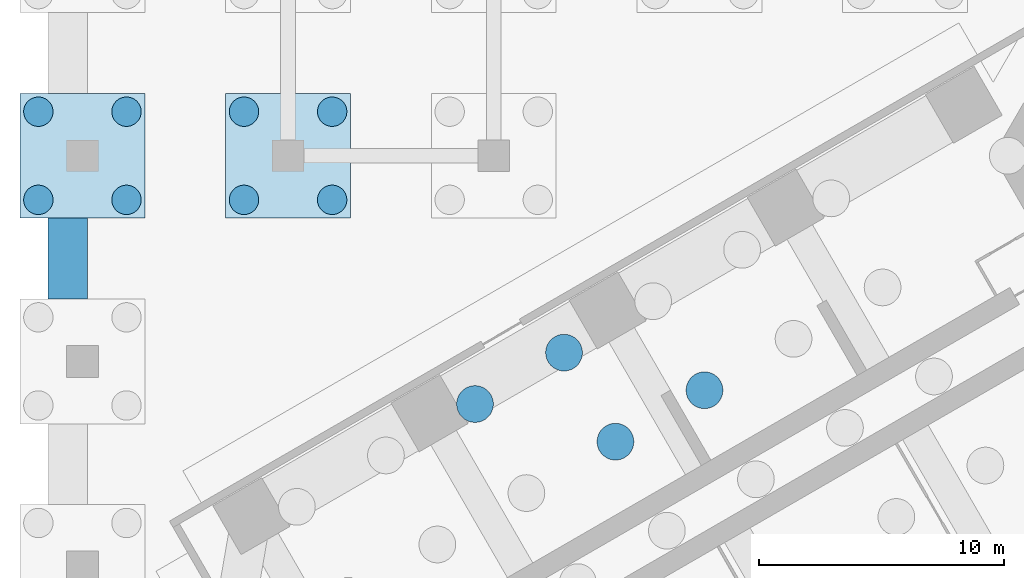
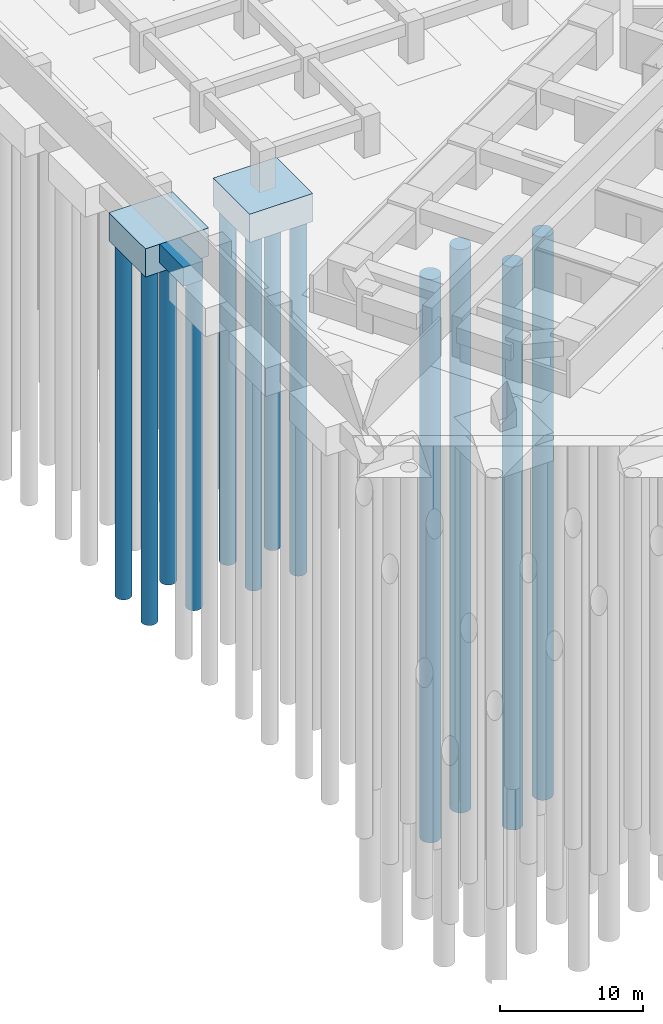
# One storey, part 11 of 73: 12 piles, 3 footings.
"""IFC4 building model written with IfcOpenShell, lengths in metres."""

from ifc_helpers import new_model, si_unit, direction, frame, origin, origin_2d, place, context, subcontext, project, spatial, polyline, circle, outline, extrude, material, material_profile, profile_set, type_object, element, save


model = new_model("IFC4")

# Units and contexts
model_context = context("Model", 3, precision=1e-05, world=origin(), true_north=direction((0.0, 1.0)))
body_context = subcontext(model_context, "Body", "Model", "MODEL_VIEW")
ifc_project = project(units=[si_unit("LENGTHUNIT", "METRE"), si_unit("AREAUNIT", "SQUARE_METRE"), si_unit("VOLUMEUNIT", "CUBIC_METRE"), si_unit("PLANEANGLEUNIT", "RADIAN"), si_unit("MASSUNIT", "GRAM", prefix="KILO")], contexts=[model_context])

# Site, building, storey
site_placement = place(None, origin())
site = spatial("IfcSite", under=ifc_project, at=site_placement, CompositionType="ELEMENT")
building_placement = place(site_placement, origin())
building = spatial("IfcBuilding", under=site, at=building_placement, Name="Impinga Residences", CompositionType="ELEMENT")
storey_placement = place(building_placement, frame((0.0, 0.0, -10.5)))
storey = spatial("IfcBuildingStorey", under=building, at=storey_placement, Name="B3", CompositionType="ELEMENT", Elevation=-10.5)

# Piles
ifc_material_1 = material(Name="Concrete C35/45", Category="concrete")
ifc_material_profile_1 = material_profile(ifc_material_1, circle(Radius=0.75, at=origin_2d()), Name="D1500")
ifc_profile_set_1 = profile_set([ifc_material_profile_1], Name="Concrete C35/45")
pile_type_1 = type_object("IfcPileType", Name="BP1 bored pile D1500", PredefinedType="BORED", material=ifc_profile_set_1)
pile_1_placement = place(storey_placement, frame((-28.627685546875, -11.678466796875, -4.0), z_axis=(0.0, 0.0, -1.0), x_axis=(1.0, 0.0, 0.0)))
element("IfcPile", 1, at=pile_1_placement, inside=storey, type_object=pile_type_1, Name="Raft pile BP1-055", PredefinedType="BORED", context=body_context, shape_type="SweptSolid", body=[
    extrude(outline(polyline([(0.75, 0.0), (0.746337890625, 0.073486328125), (0.735595703125, 0.146240234375), (0.7177734375, 0.2177734375), (0.69287109375, 0.287109375), (0.661376953125, 0.353515625), (0.62353515625, 0.416748046875), (0.579833984375, 0.475830078125), (0.5302734375, 0.5302734375), (0.475830078125, 0.579833984375), (0.416748046875, 0.62353515625), (0.353515625, 0.661376953125), (0.287109375, 0.69287109375), (0.2177734375, 0.7177734375), (0.146240234375, 0.735595703125), (0.073486328125, 0.746337890625), (0.0, 0.75), (-0.073486328125, 0.746337890625), (-0.146240234375, 0.735595703125), (-0.2177734375, 0.7177734375), (-0.287109375, 0.69287109375), (-0.353515625, 0.661376953125), (-0.416748046875, 0.62353515625), (-0.475830078125, 0.579833984375), (-0.5302734375, 0.5302734375), (-0.579833984375, 0.475830078125), (-0.62353515625, 0.416748046875), (-0.661376953125, 0.353515625), (-0.69287109375, 0.287109375), (-0.7177734375, 0.2177734375), (-0.735595703125, 0.146240234375), (-0.746337890625, 0.073486328125), (-0.75, 0.0), (-0.746337890625, -0.073486328125), (-0.735595703125, -0.146240234375), (-0.7177734375, -0.2177734375), (-0.69287109375, -0.287109375), (-0.661376953125, -0.353515625), (-0.62353515625, -0.416748046875), (-0.579833984375, -0.475830078125), (-0.5302734375, -0.5302734375), (-0.475830078125, -0.579833984375), (-0.416748046875, -0.62353515625), (-0.353515625, -0.661376953125), (-0.287109375, -0.69287109375), (-0.2177734375, -0.7177734375), (-0.146240234375, -0.735595703125), (-0.073486328125, -0.746337890625), (0.0, -0.75), (0.073486328125, -0.746337890625), (0.146240234375, -0.735595703125), (0.2177734375, -0.7177734375), (0.287109375, -0.69287109375), (0.353515625, -0.661376953125), (0.416748046875, -0.62353515625), (0.475830078125, -0.579833984375), (0.5302734375, -0.5302734375), (0.579833984375, -0.475830078125), (0.62353515625, -0.416748046875), (0.661376953125, -0.353515625), (0.69287109375, -0.287109375), (0.7177734375, -0.2177734375), (0.735595703125, -0.146240234375), (0.746337890625, -0.073486328125), (0.75, 0.0)])), origin(), (0.0, 0.0, 1.0), 48.0),
])
pile_2_placement = place(storey_placement, frame((-34.364990234375, -10.14111328125, -4.0), z_axis=(0.0, 0.0, -1.0), x_axis=(1.0, 0.0, 0.0)))
element("IfcPile", 2, at=pile_2_placement, inside=storey, type_object=pile_type_1, Name="Raft pile BP1-063", PredefinedType="BORED", context=body_context, shape_type="SweptSolid", body=[
    extrude(outline(polyline([(0.75, 0.0), (0.746337890625, 0.073486328125), (0.735595703125, 0.146240234375), (0.7177734375, 0.2177734375), (0.69287109375, 0.287109375), (0.661376953125, 0.353515625), (0.62353515625, 0.416748046875), (0.579833984375, 0.475830078125), (0.5302734375, 0.5302734375), (0.475830078125, 0.579833984375), (0.416748046875, 0.62353515625), (0.353515625, 0.661376953125), (0.287109375, 0.69287109375), (0.2177734375, 0.7177734375), (0.146240234375, 0.735595703125), (0.073486328125, 0.746337890625), (0.0, 0.75), (-0.073486328125, 0.746337890625), (-0.146240234375, 0.735595703125), (-0.2177734375, 0.7177734375), (-0.287109375, 0.69287109375), (-0.353515625, 0.661376953125), (-0.416748046875, 0.62353515625), (-0.475830078125, 0.579833984375), (-0.5302734375, 0.5302734375), (-0.579833984375, 0.475830078125), (-0.62353515625, 0.416748046875), (-0.661376953125, 0.353515625), (-0.69287109375, 0.287109375), (-0.7177734375, 0.2177734375), (-0.735595703125, 0.146240234375), (-0.746337890625, 0.073486328125), (-0.75, 0.0), (-0.746337890625, -0.073486328125), (-0.735595703125, -0.146240234375), (-0.7177734375, -0.2177734375), (-0.69287109375, -0.287109375), (-0.661376953125, -0.353515625), (-0.62353515625, -0.416748046875), (-0.579833984375, -0.475830078125), (-0.5302734375, -0.5302734375), (-0.475830078125, -0.579833984375), (-0.416748046875, -0.62353515625), (-0.353515625, -0.661376953125), (-0.287109375, -0.69287109375), (-0.2177734375, -0.7177734375), (-0.146240234375, -0.735595703125), (-0.073486328125, -0.746337890625), (0.0, -0.75), (0.073486328125, -0.746337890625), (0.146240234375, -0.735595703125), (0.2177734375, -0.7177734375), (0.287109375, -0.69287109375), (0.353515625, -0.661376953125), (0.416748046875, -0.62353515625), (0.475830078125, -0.579833984375), (0.5302734375, -0.5302734375), (0.579833984375, -0.475830078125), (0.62353515625, -0.416748046875), (0.661376953125, -0.353515625), (0.69287109375, -0.287109375), (0.7177734375, -0.2177734375), (0.735595703125, -0.146240234375), (0.746337890625, -0.073486328125), (0.75, 0.0)])), origin(), (0.0, 0.0, 1.0), 48.0),
])
pile_3_placement = place(storey_placement, frame((-24.990478515625, -9.578369140625, -4.0), z_axis=(0.0, 0.0, -1.0), x_axis=(1.0, 0.0, 0.0)))
element("IfcPile", 3, at=pile_3_placement, inside=storey, type_object=pile_type_1, Name="Raft pile BP1-065", PredefinedType="BORED", context=body_context, shape_type="SweptSolid", body=[
    extrude(outline(polyline([(0.75, 0.0), (0.746337890625, 0.073486328125), (0.735595703125, 0.146240234375), (0.7177734375, 0.2177734375), (0.69287109375, 0.287109375), (0.661376953125, 0.353515625), (0.62353515625, 0.416748046875), (0.579833984375, 0.475830078125), (0.5302734375, 0.5302734375), (0.475830078125, 0.579833984375), (0.416748046875, 0.62353515625), (0.353515625, 0.661376953125), (0.287109375, 0.69287109375), (0.2177734375, 0.7177734375), (0.146240234375, 0.735595703125), (0.073486328125, 0.746337890625), (0.0, 0.75), (-0.073486328125, 0.746337890625), (-0.146240234375, 0.735595703125), (-0.2177734375, 0.7177734375), (-0.287109375, 0.69287109375), (-0.353515625, 0.661376953125), (-0.416748046875, 0.62353515625), (-0.475830078125, 0.579833984375), (-0.5302734375, 0.5302734375), (-0.579833984375, 0.475830078125), (-0.62353515625, 0.416748046875), (-0.661376953125, 0.353515625), (-0.69287109375, 0.287109375), (-0.7177734375, 0.2177734375), (-0.735595703125, 0.146240234375), (-0.746337890625, 0.073486328125), (-0.75, 0.0), (-0.746337890625, -0.073486328125), (-0.735595703125, -0.146240234375), (-0.7177734375, -0.2177734375), (-0.69287109375, -0.287109375), (-0.661376953125, -0.353515625), (-0.62353515625, -0.416748046875), (-0.579833984375, -0.475830078125), (-0.5302734375, -0.5302734375), (-0.475830078125, -0.579833984375), (-0.416748046875, -0.62353515625), (-0.353515625, -0.661376953125), (-0.287109375, -0.69287109375), (-0.2177734375, -0.7177734375), (-0.146240234375, -0.735595703125), (-0.073486328125, -0.746337890625), (0.0, -0.75), (0.073486328125, -0.746337890625), (0.146240234375, -0.735595703125), (0.2177734375, -0.7177734375), (0.287109375, -0.69287109375), (0.353515625, -0.661376953125), (0.416748046875, -0.62353515625), (0.475830078125, -0.579833984375), (0.5302734375, -0.5302734375), (0.579833984375, -0.475830078125), (0.62353515625, -0.416748046875), (0.661376953125, -0.353515625), (0.69287109375, -0.287109375), (0.7177734375, -0.2177734375), (0.735595703125, -0.146240234375), (0.746337890625, -0.073486328125), (0.75, 0.0)])), origin(), (0.0, 0.0, 1.0), 48.0),
])
pile_4_placement = place(storey_placement, frame((-30.727783203125, -8.041259765625, -4.0), z_axis=(0.0, 0.0, -1.0), x_axis=(1.0, 0.0, 0.0)))
element("IfcPile", 4, at=pile_4_placement, inside=storey, type_object=pile_type_1, Name="Raft pile BP1-069", PredefinedType="BORED", context=body_context, shape_type="SweptSolid", body=[
    extrude(outline(polyline([(0.75, 0.0), (0.746337890625, 0.073486328125), (0.735595703125, 0.146240234375), (0.7177734375, 0.2177734375), (0.69287109375, 0.287109375), (0.661376953125, 0.353515625), (0.62353515625, 0.416748046875), (0.579833984375, 0.475830078125), (0.5302734375, 0.5302734375), (0.475830078125, 0.579833984375), (0.416748046875, 0.62353515625), (0.353515625, 0.661376953125), (0.287109375, 0.69287109375), (0.2177734375, 0.7177734375), (0.146240234375, 0.735595703125), (0.073486328125, 0.746337890625), (0.0, 0.75), (-0.073486328125, 0.746337890625), (-0.146240234375, 0.735595703125), (-0.2177734375, 0.7177734375), (-0.287109375, 0.69287109375), (-0.353515625, 0.661376953125), (-0.416748046875, 0.62353515625), (-0.475830078125, 0.579833984375), (-0.5302734375, 0.5302734375), (-0.579833984375, 0.475830078125), (-0.62353515625, 0.416748046875), (-0.661376953125, 0.353515625), (-0.69287109375, 0.287109375), (-0.7177734375, 0.2177734375), (-0.735595703125, 0.146240234375), (-0.746337890625, 0.073486328125), (-0.75, 0.0), (-0.746337890625, -0.073486328125), (-0.735595703125, -0.146240234375), (-0.7177734375, -0.2177734375), (-0.69287109375, -0.287109375), (-0.661376953125, -0.353515625), (-0.62353515625, -0.416748046875), (-0.579833984375, -0.475830078125), (-0.5302734375, -0.5302734375), (-0.475830078125, -0.579833984375), (-0.416748046875, -0.62353515625), (-0.353515625, -0.661376953125), (-0.287109375, -0.69287109375), (-0.2177734375, -0.7177734375), (-0.146240234375, -0.735595703125), (-0.073486328125, -0.746337890625), (0.0, -0.75), (0.073486328125, -0.746337890625), (0.146240234375, -0.735595703125), (0.2177734375, -0.7177734375), (0.287109375, -0.69287109375), (0.353515625, -0.661376953125), (0.416748046875, -0.62353515625), (0.475830078125, -0.579833984375), (0.5302734375, -0.5302734375), (0.579833984375, -0.475830078125), (0.62353515625, -0.416748046875), (0.661376953125, -0.353515625), (0.69287109375, -0.287109375), (0.7177734375, -0.2177734375), (0.735595703125, -0.146240234375), (0.746337890625, -0.073486328125), (0.75, 0.0)])), origin(), (0.0, 0.0, 1.0), 48.0),
])
ifc_material_profile_2 = material_profile(ifc_material_1, circle(Radius=0.60009765625, at=origin_2d()), Name="D1200")
ifc_profile_set_2 = profile_set([ifc_material_profile_2], Name="Concrete C35/45")
pile_type_2 = type_object("IfcPileType", Name="BP2 bored pile D1200", PredefinedType="BORED", material=ifc_profile_set_2)
pile_5_placement = place(storey_placement, frame((-52.199951171875, -1.800048828125, -2.39990234375), z_axis=(0.0, 0.0, -1.0), x_axis=(1.0, 0.0, 0.0)))
element("IfcPile", 5, at=pile_5_placement, inside=storey, type_object=pile_type_2, Name="Cap pile BP2 1/F-1", PredefinedType="BORED", context=body_context, shape_type="SweptSolid", body=[
    extrude(outline(polyline([(0.60009765625, 0.0), (0.59716796875, 0.058837890625), (0.58837890625, 0.116943359375), (0.57421875, 0.174072265625), (0.554443359375, 0.2294921875), (0.529052734375, 0.282958984375), (0.498779296875, 0.333251953125), (0.4638671875, 0.380615234375), (0.42431640625, 0.42431640625), (0.380615234375, 0.4638671875), (0.333251953125, 0.498779296875), (0.282958984375, 0.529052734375), (0.2294921875, 0.554443359375), (0.174072265625, 0.57421875), (0.116943359375, 0.58837890625), (0.058837890625, 0.59716796875), (0.0, 0.60009765625), (-0.058837890625, 0.59716796875), (-0.116943359375, 0.58837890625), (-0.174072265625, 0.57421875), (-0.2294921875, 0.554443359375), (-0.282958984375, 0.529052734375), (-0.333251953125, 0.498779296875), (-0.380615234375, 0.4638671875), (-0.42431640625, 0.42431640625), (-0.4638671875, 0.380615234375), (-0.498779296875, 0.333251953125), (-0.529052734375, 0.282958984375), (-0.554443359375, 0.2294921875), (-0.57421875, 0.174072265625), (-0.58837890625, 0.116943359375), (-0.59716796875, 0.058837890625), (-0.60009765625, 0.0), (-0.59716796875, -0.058837890625), (-0.58837890625, -0.116943359375), (-0.57421875, -0.174072265625), (-0.554443359375, -0.2294921875), (-0.529052734375, -0.282958984375), (-0.498779296875, -0.333251953125), (-0.4638671875, -0.380615234375), (-0.42431640625, -0.42431640625), (-0.380615234375, -0.4638671875), (-0.333251953125, -0.498779296875), (-0.282958984375, -0.529052734375), (-0.2294921875, -0.554443359375), (-0.174072265625, -0.57421875), (-0.116943359375, -0.58837890625), (-0.058837890625, -0.59716796875), (0.0, -0.60009765625), (0.058837890625, -0.59716796875), (0.116943359375, -0.58837890625), (0.174072265625, -0.57421875), (0.2294921875, -0.554443359375), (0.282958984375, -0.529052734375), (0.333251953125, -0.498779296875), (0.380615234375, -0.4638671875), (0.42431640625, -0.42431640625), (0.4638671875, -0.380615234375), (0.498779296875, -0.333251953125), (0.529052734375, -0.282958984375), (0.554443359375, -0.2294921875), (0.57421875, -0.174072265625), (0.58837890625, -0.116943359375), (0.59716796875, -0.058837890625), (0.60009765625, 0.0)])), origin(), (0.0, 0.0, 1.0), 30.0),
])
pile_6_placement = place(storey_placement, frame((-48.60009765625, -1.800048828125, -2.39990234375), z_axis=(0.0, 0.0, -1.0), x_axis=(1.0, 0.0, 0.0)))
element("IfcPile", 6, at=pile_6_placement, inside=storey, type_object=pile_type_2, Name="Cap pile BP2 1/F-2", PredefinedType="BORED", context=body_context, shape_type="SweptSolid", body=[
    extrude(outline(polyline([(0.60009765625, 0.0), (0.59716796875, 0.058837890625), (0.58837890625, 0.116943359375), (0.57421875, 0.174072265625), (0.554443359375, 0.2294921875), (0.529052734375, 0.282958984375), (0.498779296875, 0.333251953125), (0.4638671875, 0.380615234375), (0.42431640625, 0.42431640625), (0.380615234375, 0.4638671875), (0.333251953125, 0.498779296875), (0.282958984375, 0.529052734375), (0.2294921875, 0.554443359375), (0.174072265625, 0.57421875), (0.116943359375, 0.58837890625), (0.058837890625, 0.59716796875), (0.0, 0.60009765625), (-0.058837890625, 0.59716796875), (-0.116943359375, 0.58837890625), (-0.174072265625, 0.57421875), (-0.2294921875, 0.554443359375), (-0.282958984375, 0.529052734375), (-0.333251953125, 0.498779296875), (-0.380615234375, 0.4638671875), (-0.42431640625, 0.42431640625), (-0.4638671875, 0.380615234375), (-0.498779296875, 0.333251953125), (-0.529052734375, 0.282958984375), (-0.554443359375, 0.2294921875), (-0.57421875, 0.174072265625), (-0.58837890625, 0.116943359375), (-0.59716796875, 0.058837890625), (-0.60009765625, 0.0), (-0.59716796875, -0.058837890625), (-0.58837890625, -0.116943359375), (-0.57421875, -0.174072265625), (-0.554443359375, -0.2294921875), (-0.529052734375, -0.282958984375), (-0.498779296875, -0.333251953125), (-0.4638671875, -0.380615234375), (-0.42431640625, -0.42431640625), (-0.380615234375, -0.4638671875), (-0.333251953125, -0.498779296875), (-0.282958984375, -0.529052734375), (-0.2294921875, -0.554443359375), (-0.174072265625, -0.57421875), (-0.116943359375, -0.58837890625), (-0.058837890625, -0.59716796875), (0.0, -0.60009765625), (0.058837890625, -0.59716796875), (0.116943359375, -0.58837890625), (0.174072265625, -0.57421875), (0.2294921875, -0.554443359375), (0.282958984375, -0.529052734375), (0.333251953125, -0.498779296875), (0.380615234375, -0.4638671875), (0.42431640625, -0.42431640625), (0.4638671875, -0.380615234375), (0.498779296875, -0.333251953125), (0.529052734375, -0.282958984375), (0.554443359375, -0.2294921875), (0.57421875, -0.174072265625), (0.58837890625, -0.116943359375), (0.59716796875, -0.058837890625), (0.60009765625, 0.0)])), origin(), (0.0, 0.0, 1.0), 30.0),
])
pile_7_placement = place(storey_placement, frame((-48.60009765625, 1.800048828125, -2.39990234375), z_axis=(0.0, 0.0, -1.0), x_axis=(1.0, 0.0, 0.0)))
element("IfcPile", 7, at=pile_7_placement, inside=storey, type_object=pile_type_2, Name="Cap pile BP2 1/F-3", PredefinedType="BORED", context=body_context, shape_type="SweptSolid", body=[
    extrude(outline(polyline([(0.60009765625, 0.0), (0.59716796875, 0.058837890625), (0.58837890625, 0.116943359375), (0.57421875, 0.174072265625), (0.554443359375, 0.2294921875), (0.529052734375, 0.282958984375), (0.498779296875, 0.333251953125), (0.4638671875, 0.380615234375), (0.42431640625, 0.42431640625), (0.380615234375, 0.4638671875), (0.333251953125, 0.498779296875), (0.282958984375, 0.529052734375), (0.2294921875, 0.554443359375), (0.174072265625, 0.57421875), (0.116943359375, 0.58837890625), (0.058837890625, 0.59716796875), (0.0, 0.60009765625), (-0.058837890625, 0.59716796875), (-0.116943359375, 0.58837890625), (-0.174072265625, 0.57421875), (-0.2294921875, 0.554443359375), (-0.282958984375, 0.529052734375), (-0.333251953125, 0.498779296875), (-0.380615234375, 0.4638671875), (-0.42431640625, 0.42431640625), (-0.4638671875, 0.380615234375), (-0.498779296875, 0.333251953125), (-0.529052734375, 0.282958984375), (-0.554443359375, 0.2294921875), (-0.57421875, 0.174072265625), (-0.58837890625, 0.116943359375), (-0.59716796875, 0.058837890625), (-0.60009765625, 0.0), (-0.59716796875, -0.058837890625), (-0.58837890625, -0.116943359375), (-0.57421875, -0.174072265625), (-0.554443359375, -0.2294921875), (-0.529052734375, -0.282958984375), (-0.498779296875, -0.333251953125), (-0.4638671875, -0.380615234375), (-0.42431640625, -0.42431640625), (-0.380615234375, -0.4638671875), (-0.333251953125, -0.498779296875), (-0.282958984375, -0.529052734375), (-0.2294921875, -0.554443359375), (-0.174072265625, -0.57421875), (-0.116943359375, -0.58837890625), (-0.058837890625, -0.59716796875), (0.0, -0.60009765625), (0.058837890625, -0.59716796875), (0.116943359375, -0.58837890625), (0.174072265625, -0.57421875), (0.2294921875, -0.554443359375), (0.282958984375, -0.529052734375), (0.333251953125, -0.498779296875), (0.380615234375, -0.4638671875), (0.42431640625, -0.42431640625), (0.4638671875, -0.380615234375), (0.498779296875, -0.333251953125), (0.529052734375, -0.282958984375), (0.554443359375, -0.2294921875), (0.57421875, -0.174072265625), (0.58837890625, -0.116943359375), (0.59716796875, -0.058837890625), (0.60009765625, 0.0)])), origin(), (0.0, 0.0, 1.0), 30.0),
])
pile_8_placement = place(storey_placement, frame((-52.199951171875, 1.800048828125, -2.39990234375), z_axis=(0.0, 0.0, -1.0), x_axis=(1.0, 0.0, 0.0)))
element("IfcPile", 8, at=pile_8_placement, inside=storey, type_object=pile_type_2, Name="Cap pile BP2 1/F-4", PredefinedType="BORED", context=body_context, shape_type="SweptSolid", body=[
    extrude(outline(polyline([(0.60009765625, 0.0), (0.59716796875, 0.058837890625), (0.58837890625, 0.116943359375), (0.57421875, 0.174072265625), (0.554443359375, 0.2294921875), (0.529052734375, 0.282958984375), (0.498779296875, 0.333251953125), (0.4638671875, 0.380615234375), (0.42431640625, 0.42431640625), (0.380615234375, 0.4638671875), (0.333251953125, 0.498779296875), (0.282958984375, 0.529052734375), (0.2294921875, 0.554443359375), (0.174072265625, 0.57421875), (0.116943359375, 0.58837890625), (0.058837890625, 0.59716796875), (0.0, 0.60009765625), (-0.058837890625, 0.59716796875), (-0.116943359375, 0.58837890625), (-0.174072265625, 0.57421875), (-0.2294921875, 0.554443359375), (-0.282958984375, 0.529052734375), (-0.333251953125, 0.498779296875), (-0.380615234375, 0.4638671875), (-0.42431640625, 0.42431640625), (-0.4638671875, 0.380615234375), (-0.498779296875, 0.333251953125), (-0.529052734375, 0.282958984375), (-0.554443359375, 0.2294921875), (-0.57421875, 0.174072265625), (-0.58837890625, 0.116943359375), (-0.59716796875, 0.058837890625), (-0.60009765625, 0.0), (-0.59716796875, -0.058837890625), (-0.58837890625, -0.116943359375), (-0.57421875, -0.174072265625), (-0.554443359375, -0.2294921875), (-0.529052734375, -0.282958984375), (-0.498779296875, -0.333251953125), (-0.4638671875, -0.380615234375), (-0.42431640625, -0.42431640625), (-0.380615234375, -0.4638671875), (-0.333251953125, -0.498779296875), (-0.282958984375, -0.529052734375), (-0.2294921875, -0.554443359375), (-0.174072265625, -0.57421875), (-0.116943359375, -0.58837890625), (-0.058837890625, -0.59716796875), (0.0, -0.60009765625), (0.058837890625, -0.59716796875), (0.116943359375, -0.58837890625), (0.174072265625, -0.57421875), (0.2294921875, -0.554443359375), (0.282958984375, -0.529052734375), (0.333251953125, -0.498779296875), (0.380615234375, -0.4638671875), (0.42431640625, -0.42431640625), (0.4638671875, -0.380615234375), (0.498779296875, -0.333251953125), (0.529052734375, -0.282958984375), (0.554443359375, -0.2294921875), (0.57421875, -0.174072265625), (0.58837890625, -0.116943359375), (0.59716796875, -0.058837890625), (0.60009765625, 0.0)])), origin(), (0.0, 0.0, 1.0), 30.0),
])
pile_9_placement = place(storey_placement, frame((-43.800048828125, -1.800048828125, -2.39990234375), z_axis=(0.0, 0.0, -1.0), x_axis=(1.0, 0.0, 0.0)))
element("IfcPile", 9, at=pile_9_placement, inside=storey, type_object=pile_type_2, Name="Cap pile BP2 2/F-1", PredefinedType="BORED", context=body_context, shape_type="SweptSolid", body=[
    extrude(outline(polyline([(0.60009765625, 0.0), (0.59716796875, 0.058837890625), (0.58837890625, 0.116943359375), (0.57421875, 0.174072265625), (0.554443359375, 0.2294921875), (0.529052734375, 0.282958984375), (0.498779296875, 0.333251953125), (0.4638671875, 0.380615234375), (0.42431640625, 0.42431640625), (0.380615234375, 0.4638671875), (0.333251953125, 0.498779296875), (0.282958984375, 0.529052734375), (0.2294921875, 0.554443359375), (0.174072265625, 0.57421875), (0.116943359375, 0.58837890625), (0.058837890625, 0.59716796875), (0.0, 0.60009765625), (-0.058837890625, 0.59716796875), (-0.116943359375, 0.58837890625), (-0.174072265625, 0.57421875), (-0.2294921875, 0.554443359375), (-0.282958984375, 0.529052734375), (-0.333251953125, 0.498779296875), (-0.380615234375, 0.4638671875), (-0.42431640625, 0.42431640625), (-0.4638671875, 0.380615234375), (-0.498779296875, 0.333251953125), (-0.529052734375, 0.282958984375), (-0.554443359375, 0.2294921875), (-0.57421875, 0.174072265625), (-0.58837890625, 0.116943359375), (-0.59716796875, 0.058837890625), (-0.60009765625, 0.0), (-0.59716796875, -0.058837890625), (-0.58837890625, -0.116943359375), (-0.57421875, -0.174072265625), (-0.554443359375, -0.2294921875), (-0.529052734375, -0.282958984375), (-0.498779296875, -0.333251953125), (-0.4638671875, -0.380615234375), (-0.42431640625, -0.42431640625), (-0.380615234375, -0.4638671875), (-0.333251953125, -0.498779296875), (-0.282958984375, -0.529052734375), (-0.2294921875, -0.554443359375), (-0.174072265625, -0.57421875), (-0.116943359375, -0.58837890625), (-0.058837890625, -0.59716796875), (0.0, -0.60009765625), (0.058837890625, -0.59716796875), (0.116943359375, -0.58837890625), (0.174072265625, -0.57421875), (0.2294921875, -0.554443359375), (0.282958984375, -0.529052734375), (0.333251953125, -0.498779296875), (0.380615234375, -0.4638671875), (0.42431640625, -0.42431640625), (0.4638671875, -0.380615234375), (0.498779296875, -0.333251953125), (0.529052734375, -0.282958984375), (0.554443359375, -0.2294921875), (0.57421875, -0.174072265625), (0.58837890625, -0.116943359375), (0.59716796875, -0.058837890625), (0.60009765625, 0.0)])), origin(), (0.0, 0.0, 1.0), 30.0),
])
pile_10_placement = place(storey_placement, frame((-40.199951171875, -1.800048828125, -2.39990234375), z_axis=(0.0, 0.0, -1.0), x_axis=(1.0, 0.0, 0.0)))
element("IfcPile", 10, at=pile_10_placement, inside=storey, type_object=pile_type_2, Name="Cap pile BP2 2/F-2", PredefinedType="BORED", context=body_context, shape_type="SweptSolid", body=[
    extrude(outline(polyline([(0.60009765625, 0.0), (0.59716796875, 0.058837890625), (0.58837890625, 0.116943359375), (0.57421875, 0.174072265625), (0.554443359375, 0.2294921875), (0.529052734375, 0.282958984375), (0.498779296875, 0.333251953125), (0.4638671875, 0.380615234375), (0.42431640625, 0.42431640625), (0.380615234375, 0.4638671875), (0.333251953125, 0.498779296875), (0.282958984375, 0.529052734375), (0.2294921875, 0.554443359375), (0.174072265625, 0.57421875), (0.116943359375, 0.58837890625), (0.058837890625, 0.59716796875), (0.0, 0.60009765625), (-0.058837890625, 0.59716796875), (-0.116943359375, 0.58837890625), (-0.174072265625, 0.57421875), (-0.2294921875, 0.554443359375), (-0.282958984375, 0.529052734375), (-0.333251953125, 0.498779296875), (-0.380615234375, 0.4638671875), (-0.42431640625, 0.42431640625), (-0.4638671875, 0.380615234375), (-0.498779296875, 0.333251953125), (-0.529052734375, 0.282958984375), (-0.554443359375, 0.2294921875), (-0.57421875, 0.174072265625), (-0.58837890625, 0.116943359375), (-0.59716796875, 0.058837890625), (-0.60009765625, 0.0), (-0.59716796875, -0.058837890625), (-0.58837890625, -0.116943359375), (-0.57421875, -0.174072265625), (-0.554443359375, -0.2294921875), (-0.529052734375, -0.282958984375), (-0.498779296875, -0.333251953125), (-0.4638671875, -0.380615234375), (-0.42431640625, -0.42431640625), (-0.380615234375, -0.4638671875), (-0.333251953125, -0.498779296875), (-0.282958984375, -0.529052734375), (-0.2294921875, -0.554443359375), (-0.174072265625, -0.57421875), (-0.116943359375, -0.58837890625), (-0.058837890625, -0.59716796875), (0.0, -0.60009765625), (0.058837890625, -0.59716796875), (0.116943359375, -0.58837890625), (0.174072265625, -0.57421875), (0.2294921875, -0.554443359375), (0.282958984375, -0.529052734375), (0.333251953125, -0.498779296875), (0.380615234375, -0.4638671875), (0.42431640625, -0.42431640625), (0.4638671875, -0.380615234375), (0.498779296875, -0.333251953125), (0.529052734375, -0.282958984375), (0.554443359375, -0.2294921875), (0.57421875, -0.174072265625), (0.58837890625, -0.116943359375), (0.59716796875, -0.058837890625), (0.60009765625, 0.0)])), origin(), (0.0, 0.0, 1.0), 30.0),
])
pile_11_placement = place(storey_placement, frame((-40.199951171875, 1.800048828125, -2.39990234375), z_axis=(0.0, 0.0, -1.0), x_axis=(1.0, 0.0, 0.0)))
element("IfcPile", 11, at=pile_11_placement, inside=storey, type_object=pile_type_2, Name="Cap pile BP2 2/F-3", PredefinedType="BORED", context=body_context, shape_type="SweptSolid", body=[
    extrude(outline(polyline([(0.60009765625, 0.0), (0.59716796875, 0.058837890625), (0.58837890625, 0.116943359375), (0.57421875, 0.174072265625), (0.554443359375, 0.2294921875), (0.529052734375, 0.282958984375), (0.498779296875, 0.333251953125), (0.4638671875, 0.380615234375), (0.42431640625, 0.42431640625), (0.380615234375, 0.4638671875), (0.333251953125, 0.498779296875), (0.282958984375, 0.529052734375), (0.2294921875, 0.554443359375), (0.174072265625, 0.57421875), (0.116943359375, 0.58837890625), (0.058837890625, 0.59716796875), (0.0, 0.60009765625), (-0.058837890625, 0.59716796875), (-0.116943359375, 0.58837890625), (-0.174072265625, 0.57421875), (-0.2294921875, 0.554443359375), (-0.282958984375, 0.529052734375), (-0.333251953125, 0.498779296875), (-0.380615234375, 0.4638671875), (-0.42431640625, 0.42431640625), (-0.4638671875, 0.380615234375), (-0.498779296875, 0.333251953125), (-0.529052734375, 0.282958984375), (-0.554443359375, 0.2294921875), (-0.57421875, 0.174072265625), (-0.58837890625, 0.116943359375), (-0.59716796875, 0.058837890625), (-0.60009765625, 0.0), (-0.59716796875, -0.058837890625), (-0.58837890625, -0.116943359375), (-0.57421875, -0.174072265625), (-0.554443359375, -0.2294921875), (-0.529052734375, -0.282958984375), (-0.498779296875, -0.333251953125), (-0.4638671875, -0.380615234375), (-0.42431640625, -0.42431640625), (-0.380615234375, -0.4638671875), (-0.333251953125, -0.498779296875), (-0.282958984375, -0.529052734375), (-0.2294921875, -0.554443359375), (-0.174072265625, -0.57421875), (-0.116943359375, -0.58837890625), (-0.058837890625, -0.59716796875), (0.0, -0.60009765625), (0.058837890625, -0.59716796875), (0.116943359375, -0.58837890625), (0.174072265625, -0.57421875), (0.2294921875, -0.554443359375), (0.282958984375, -0.529052734375), (0.333251953125, -0.498779296875), (0.380615234375, -0.4638671875), (0.42431640625, -0.42431640625), (0.4638671875, -0.380615234375), (0.498779296875, -0.333251953125), (0.529052734375, -0.282958984375), (0.554443359375, -0.2294921875), (0.57421875, -0.174072265625), (0.58837890625, -0.116943359375), (0.59716796875, -0.058837890625), (0.60009765625, 0.0)])), origin(), (0.0, 0.0, 1.0), 30.0),
])
pile_12_placement = place(storey_placement, frame((-43.800048828125, 1.800048828125, -2.39990234375), z_axis=(0.0, 0.0, -1.0), x_axis=(1.0, 0.0, 0.0)))
element("IfcPile", 12, at=pile_12_placement, inside=storey, type_object=pile_type_2, Name="Cap pile BP2 2/F-4", PredefinedType="BORED", context=body_context, shape_type="SweptSolid", body=[
    extrude(outline(polyline([(0.60009765625, 0.0), (0.59716796875, 0.058837890625), (0.58837890625, 0.116943359375), (0.57421875, 0.174072265625), (0.554443359375, 0.2294921875), (0.529052734375, 0.282958984375), (0.498779296875, 0.333251953125), (0.4638671875, 0.380615234375), (0.42431640625, 0.42431640625), (0.380615234375, 0.4638671875), (0.333251953125, 0.498779296875), (0.282958984375, 0.529052734375), (0.2294921875, 0.554443359375), (0.174072265625, 0.57421875), (0.116943359375, 0.58837890625), (0.058837890625, 0.59716796875), (0.0, 0.60009765625), (-0.058837890625, 0.59716796875), (-0.116943359375, 0.58837890625), (-0.174072265625, 0.57421875), (-0.2294921875, 0.554443359375), (-0.282958984375, 0.529052734375), (-0.333251953125, 0.498779296875), (-0.380615234375, 0.4638671875), (-0.42431640625, 0.42431640625), (-0.4638671875, 0.380615234375), (-0.498779296875, 0.333251953125), (-0.529052734375, 0.282958984375), (-0.554443359375, 0.2294921875), (-0.57421875, 0.174072265625), (-0.58837890625, 0.116943359375), (-0.59716796875, 0.058837890625), (-0.60009765625, 0.0), (-0.59716796875, -0.058837890625), (-0.58837890625, -0.116943359375), (-0.57421875, -0.174072265625), (-0.554443359375, -0.2294921875), (-0.529052734375, -0.282958984375), (-0.498779296875, -0.333251953125), (-0.4638671875, -0.380615234375), (-0.42431640625, -0.42431640625), (-0.380615234375, -0.4638671875), (-0.333251953125, -0.498779296875), (-0.282958984375, -0.529052734375), (-0.2294921875, -0.554443359375), (-0.174072265625, -0.57421875), (-0.116943359375, -0.58837890625), (-0.058837890625, -0.59716796875), (0.0, -0.60009765625), (0.058837890625, -0.59716796875), (0.116943359375, -0.58837890625), (0.174072265625, -0.57421875), (0.2294921875, -0.554443359375), (0.282958984375, -0.529052734375), (0.333251953125, -0.498779296875), (0.380615234375, -0.4638671875), (0.42431640625, -0.42431640625), (0.4638671875, -0.380615234375), (0.498779296875, -0.333251953125), (0.529052734375, -0.282958984375), (0.554443359375, -0.2294921875), (0.57421875, -0.174072265625), (0.58837890625, -0.116943359375), (0.59716796875, -0.058837890625), (0.60009765625, 0.0)])), origin(), (0.0, 0.0, 1.0), 30.0),
])

# Footings
ifc_material_2 = material(Name="Concrete C45/55", Category="concrete")
footing_type_1 = type_object("IfcFootingType", Name="PC4 four-pile cap 5100 square 2400 deep", PredefinedType="PILE_CAP", material=ifc_material_2)
footing_1_placement = place(storey_placement, frame((0.0, 0.0, -2.39990234375)))
element("IfcFooting", 13, at=footing_1_placement, inside=storey, type_object=footing_type_1, Name="Pile cap PC4 1/F", PredefinedType="PILE_CAP", context=body_context, shape_type="SweptSolid", body=[
    extrude(outline(polyline([(-47.85009765625, -2.550048828125), (-47.85009765625, 2.550048828125), (-52.949951171875, 2.550048828125), (-52.949951171875, -2.550048828125), (-47.85009765625, -2.550048828125)])), origin(), (0.0, 0.0, 1.0), 2.39990234375),
])
footing_2_placement = place(storey_placement, frame((0.0, 0.0, -2.39990234375)))
element("IfcFooting", 14, at=footing_2_placement, inside=storey, type_object=footing_type_1, Name="Pile cap PC4 2/F", PredefinedType="PILE_CAP", context=body_context, shape_type="SweptSolid", body=[
    extrude(outline(polyline([(-39.449951171875, -2.550048828125), (-39.449951171875, 2.550048828125), (-44.550048828125, 2.550048828125), (-44.550048828125, -2.550048828125), (-39.449951171875, -2.550048828125)])), origin(), (0.0, 0.0, 1.0), 2.39990234375),
])
footing_type_2 = type_object("IfcFootingType", Name="SF1 strip footing 1600 wide 1600 deep", PredefinedType="STRIP_FOOTING", material=ifc_material_2)
footing_3_placement = place(storey_placement, frame((0.0, 0.0, -1.60009765625)))
element("IfcFooting", 15, at=footing_3_placement, inside=storey, type_object=footing_type_2, Name="Strip footing SF1 W 7", PredefinedType="STRIP_FOOTING", context=body_context, shape_type="SweptSolid", body=[
    extrude(outline(polyline([(-50.199951171875, -5.85009765625), (-51.800048828125, -5.85009765625), (-51.800048828125, -2.550048828125), (-50.199951171875, -2.550048828125), (-50.199951171875, -5.85009765625)])), origin(), (0.0, 0.0, 1.0), 1.60009765625),
])

save(model, "model.ifc")
